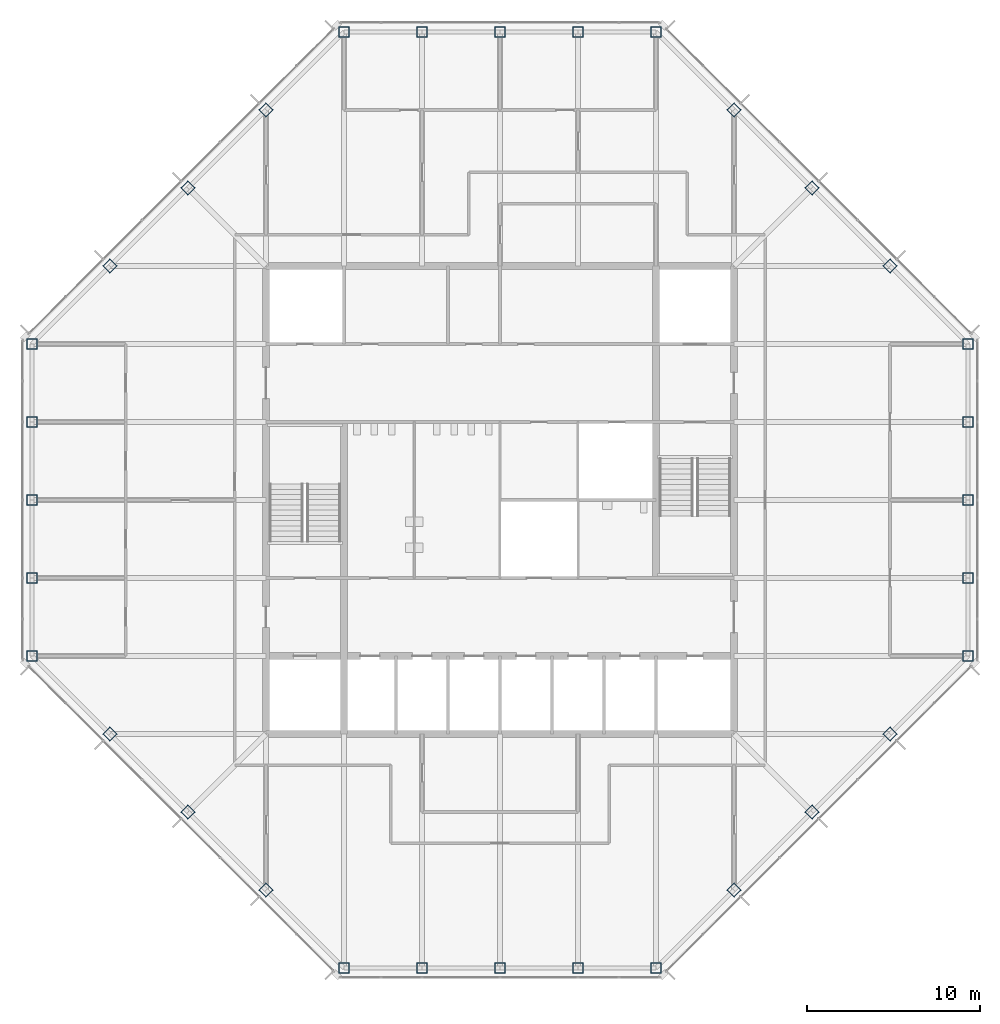
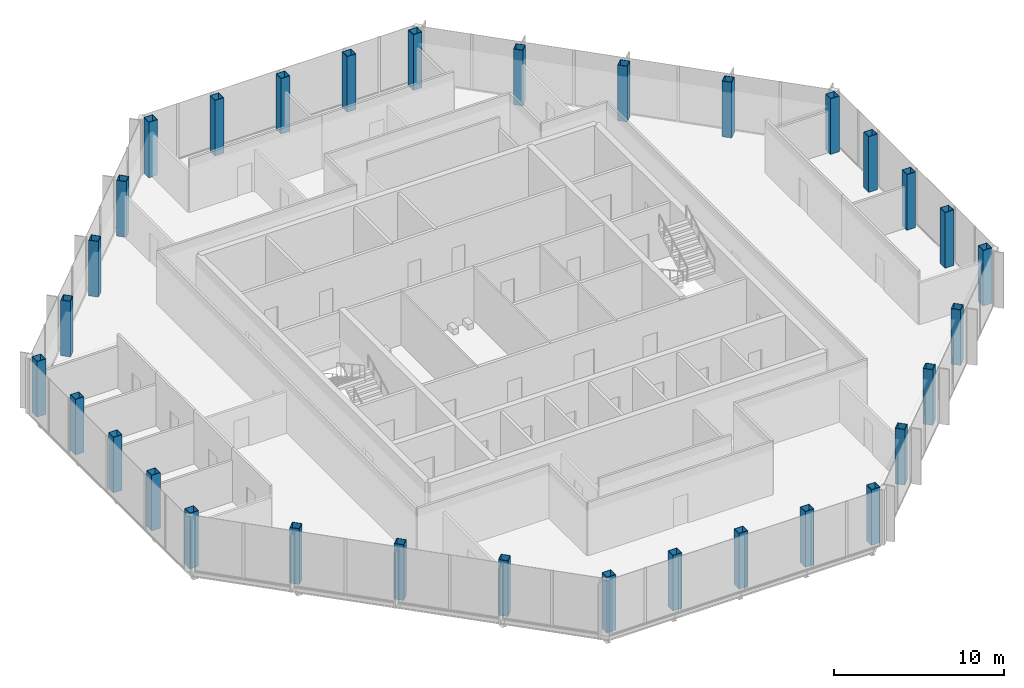
# One storey, part 1 of 14: 32 columns.
"""IFC4 building model written with IfcOpenShell, lengths in metres."""

from ifc_helpers import new_model, si_unit, direction, frame, origin, origin_2d, place, context, subcontext, project, spatial, hollow_rectangle, extrude, material, material_profile, profile_set, type_object, element, save


model = new_model("IFC4")

# Units and contexts
model_context = context("Model", 3, precision=1e-05, world=origin(), true_north=direction((0.0, 1.0)))
body_context = subcontext(model_context, "Body", "Model", "MODEL_VIEW")
ifc_project = project(units=[si_unit("LENGTHUNIT", "METRE"), si_unit("AREAUNIT", "SQUARE_METRE"), si_unit("VOLUMEUNIT", "CUBIC_METRE"), si_unit("PLANEANGLEUNIT", "RADIAN"), si_unit("MASSUNIT", "GRAM", prefix="KILO")], contexts=[model_context])

# Site, building, storey
site_placement = place(None, origin())
site = spatial("IfcSite", under=ifc_project, at=site_placement, CompositionType="ELEMENT")
building_placement = place(site_placement, origin())
building = spatial("IfcBuilding", under=site, at=building_placement, Name="Corais Broadcast Tower", CompositionType="ELEMENT")
storey_placement = place(building_placement, frame((0.0, 0.0, 262.60009765625)))
storey = spatial("IfcBuildingStorey", under=building, at=storey_placement, Name="L61", CompositionType="ELEMENT", Elevation=262.60009765625)

# Columns
ifc_material = material(Name="Steel ASTM A572 Grade 50", Category="steel")
ifc_material_profile = material_profile(ifc_material, hollow_rectangle(XDim=0.60009765625, YDim=0.60009765625, WallThickness=0.028076171875, at=origin_2d()), Name="BOX 600x600x28")
ifc_profile_set = profile_set([ifc_material_profile], Name="Steel ASTM A572 Grade 50")
column_type = type_object("IfcColumnType", Name="Column BOX 600x600x28", PredefinedType="COLUMN", material=ifc_profile_set)
for number, where, z_axis, x_axis, name in (
    (1, (18.0, 0.0, 0.0), (0.0, 0.0, 1.0), (1.0, 0.0, 0.0), "C7 A/7"),
    (2, (22.5, 0.0, 0.0), (0.0, 0.0, 1.0), (1.0, 0.0, 0.0), "C7 A/8"),
    (3, (27.0, 0.0, 0.0), (0.0, 0.0, 1.0), (1.0, 0.0, 0.0), "C7 A/9"),
    (4, (31.5, 0.0, 0.0), (0.0, 0.0, 1.0), (1.0, 0.0, 0.0), "C7 A/10"),
    (5, (36.0, 0.0, 0.0), (0.0, 0.0, 1.0), (1.0, 0.0, 0.0), "C7 A/11"),
    (6, (54.0, 18.0, 0.0), (0.0, 0.0, 1.0), (1.0, 0.0, 0.0), "C7 E/15"),
    (7, (54.0, 22.5, 0.0), (0.0, 0.0, 1.0), (1.0, 0.0, 0.0), "C7 F/15"),
    (8, (54.0, 27.0, 0.0), (0.0, 0.0, 1.0), (1.0, 0.0, 0.0), "C7 G/15"),
    (9, (54.0, 31.5, 0.0), (0.0, 0.0, 1.0), (1.0, 0.0, 0.0), "C7 H/15"),
    (10, (54.0, 36.0, 0.0), (0.0, 0.0, 1.0), (1.0, 0.0, 0.0), "C7 J/15"),
    (11, (36.0, 54.0, 0.0), (0.0, 0.0, 1.0), (1.0, 0.0, 0.0), "C7 N/11"),
    (12, (31.5, 54.0, 0.0), (0.0, 0.0, 1.0), (1.0, 0.0, 0.0), "C7 N/10"),
    (13, (27.0, 54.0, 0.0), (0.0, 0.0, 1.0), (1.0, 0.0, 0.0), "C7 N/9"),
    (14, (22.5, 54.0, 0.0), (0.0, 0.0, 1.0), (1.0, 0.0, 0.0), "C7 N/8"),
    (15, (18.0, 54.0, 0.0), (0.0, 0.0, 1.0), (1.0, 0.0, 0.0), "C7 N/7"),
    (16, (0.0, 36.0, 0.0), (0.0, 0.0, 1.0), (1.0, 0.0, 0.0), "C7 J/3"),
    (17, (0.0, 31.5, 0.0), (0.0, 0.0, 1.0), (1.0, 0.0, 0.0), "C7 H/3"),
    (18, (0.0, 27.0, 0.0), (0.0, 0.0, 1.0), (1.0, 0.0, 0.0), "C7 G/3"),
    (19, (0.0, 22.5, 0.0), (0.0, 0.0, 1.0), (1.0, 0.0, 0.0), "C7 F/3"),
    (20, (0.0, 18.0, 0.0), (0.0, 0.0, 1.0), (1.0, 0.0, 0.0), "C7 E/3"),
    (21, (13.5, 4.5, 0.0), (0.0, 0.0, 1.0), (0.707106781187, 0.707106781187, 0.0), "C7 B/6"),
    (22, (9.0, 9.0, 0.0), (0.0, 0.0, 1.0), (0.707106781187, 0.707106781187, 0.0), "C7 C/5"),
    (23, (4.5, 13.5, 0.0), (0.0, 0.0, 1.0), (0.707106781187, 0.707106781187, 0.0), "C7 D/4"),
    (24, (40.5, 4.5, 0.0), (0.0, 0.0, 1.0), (0.707106781187, 0.707106781187, 0.0), "C7 B/12"),
    (25, (45.0, 9.0, 0.0), (0.0, 0.0, 1.0), (0.707106781187, 0.707106781187, 0.0), "C7 C/13"),
    (26, (49.5, 13.5, 0.0), (0.0, 0.0, 1.0), (0.707106781187, 0.707106781187, 0.0), "C7 D/14"),
    (27, (49.5, 40.5, 0.0), (0.0, 0.0, 1.0), (0.707106781187, 0.707106781187, 0.0), "C7 K/14"),
    (28, (45.0, 45.0, 0.0), (0.0, 0.0, 1.0), (0.707106781187, 0.707106781187, 0.0), "C7 L/13"),
    (29, (40.5, 49.5, 0.0), (0.0, 0.0, 1.0), (0.707106781187, 0.707106781187, 0.0), "C7 M/12"),
    (30, (4.5, 40.5, 0.0), (0.0, 0.0, 1.0), (0.707106781187, 0.707106781187, 0.0), "C7 K/4"),
    (31, (9.0, 45.0, 0.0), (0.0, 0.0, 1.0), (0.707106781187, 0.707106781187, 0.0), "C7 L/5"),
    (32, (13.5, 49.5, 0.0), (0.0, 0.0, 1.0), (0.707106781187, 0.707106781187, 0.0), "C7 M/6"),
):
    element("IfcColumn", number, at=place(storey_placement, frame(where, z_axis=z_axis, x_axis=x_axis)), inside=storey, type_object=column_type, Name=name, PredefinedType="COLUMN", context=body_context, shape_type="SweptSolid", body=[
        extrude(hollow_rectangle(XDim=0.60009765625, YDim=0.60009765625, WallThickness=0.028076171875, at=origin_2d()), origin(), (0.0, 0.0, 1.0), 4.0),
    ])

save(model, "model.ifc")
